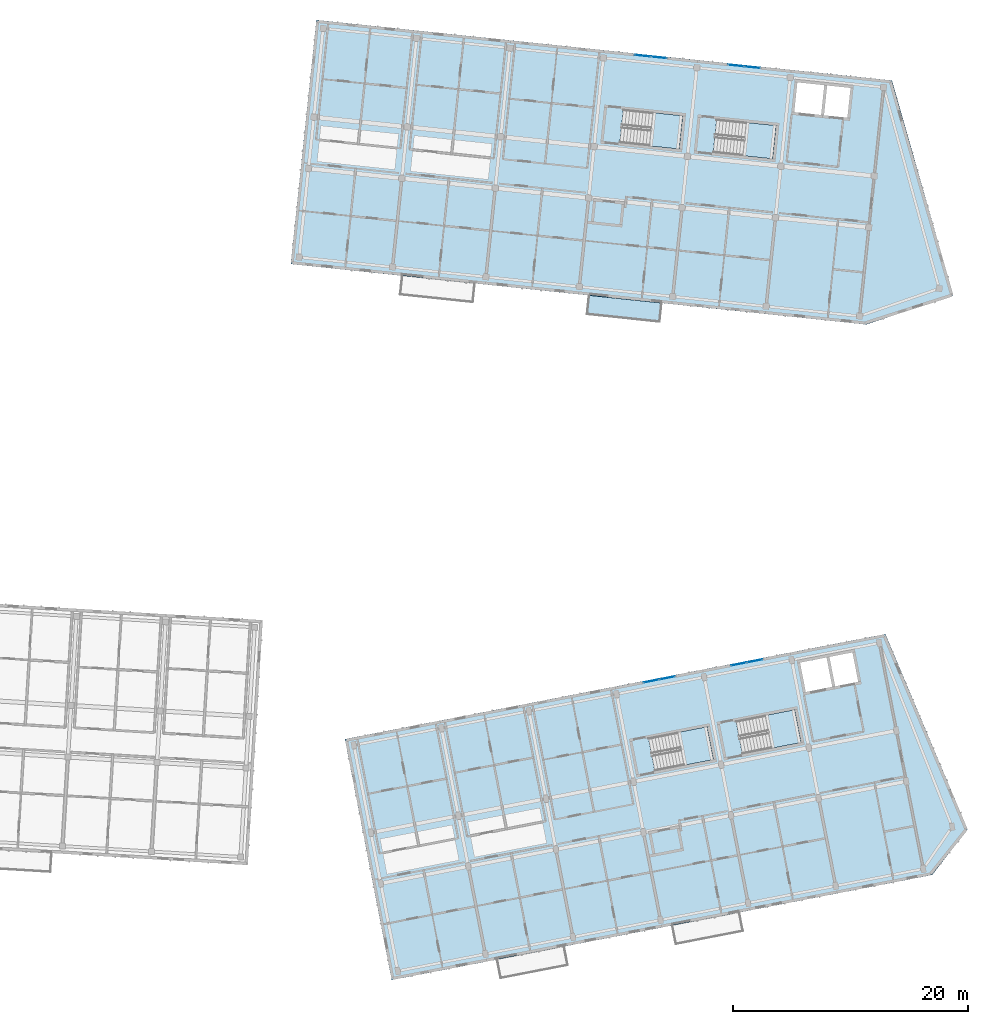
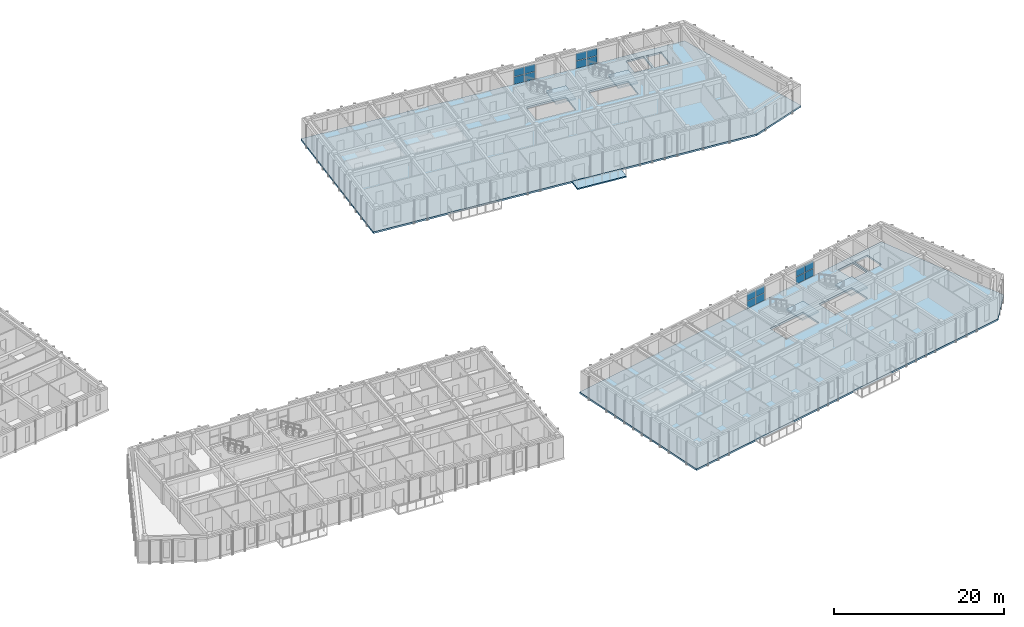
# One storey, part 19 of 68: 16 plates, 7 slabs, 8 elements without a shape of their own.
"""IFC4 building model written with IfcOpenShell, lengths in metres."""

from ifc_helpers import new_model, si_unit, direction, frame, origin, origin_2d, place, context, subcontext, project, spatial, polyline, rectangle, outline, extrude, material, layer, layer_set, type_object, element, aggregate, save


model = new_model("IFC4")

# Units and contexts
model_context = context("Model", 3, precision=1e-05, world=origin(), true_north=direction((0.0, 1.0)))
body_context = subcontext(model_context, "Body", "Model", "MODEL_VIEW")
ifc_project = project(units=[si_unit("LENGTHUNIT", "METRE"), si_unit("AREAUNIT", "SQUARE_METRE"), si_unit("VOLUMEUNIT", "CUBIC_METRE"), si_unit("PLANEANGLEUNIT", "RADIAN"), si_unit("MASSUNIT", "GRAM", prefix="KILO")], contexts=[model_context])

# Site, building, storey
site_placement = place(None, origin())
site = spatial("IfcSite", under=ifc_project, at=site_placement, CompositionType="ELEMENT")
building_placement = place(site_placement, origin())
building = spatial("IfcBuilding", under=site, at=building_placement, Name="Kestramere Prow Commons", CompositionType="ELEMENT")
storey_placement = place(building_placement, frame((0.0, 0.0, 18.14990234375)))
storey = spatial("IfcBuildingStorey", under=building, at=storey_placement, Name="L05", CompositionType="ELEMENT", Elevation=18.14990234375)

# Curtain wall, plates
ifc_material_1 = material(Name="Anodised Aluminium and Low-E Glass", Category="aluminium")
curtain_wall_type = type_object("IfcCurtainWallType", Name="CW-03 Glazed Curtain Wall 2830x2320", PredefinedType="USERDEFINED", material=ifc_material_1)
curtain_wall_1_placement = place(storey_placement, origin())
curtain_wall_1 = element("IfcCurtainWall", 1, at=curtain_wall_1_placement, inside=storey, type_object=curtain_wall_type, Name="Block B L05 Stairwell Vertical Glazing 4", ObjectType="GLAZED CURTAIN WALL", PredefinedType="USERDEFINED")
ifc_material_2 = material(Name="Low-E Laminated Double Glazing", Category="glass")
ifc_layer_1 = layer(ifc_material_2, 0.028076171875)
ifc_layer_set_1 = layer_set([ifc_layer_1], Name="Low-E Laminated Double Glazing")
plate_type = type_object("IfcPlateType", Name="CW-PNL-28", PredefinedType="CURTAIN_PANEL", material=ifc_layer_set_1)
plate_1_placement = place(storey_placement, frame((139.2626953125, 111.960205078125, 0.065185546875), z_axis=(0.0, 0.0, 1.0), x_axis=(0.994521879016, -0.104528618845, 0.0)))
plate_1 = element("IfcPlate", 2, at=plate_1_placement, type_object=plate_type, Name="CW-03 panel 1.1", PredefinedType="CURTAIN_PANEL", context=body_context, shape_type="SweptSolid", body=[
    extrude(rectangle(XDim=1.3173828125, YDim=0.028076171875, at=origin_2d()), origin(), (0.0, 0.0, 1.0), 1.0625),
])
plate_2_placement = place(storey_placement, frame((139.2626953125, 111.960205078125, 1.192626953125), z_axis=(0.0, 0.0, 1.0), x_axis=(0.994521879016, -0.104528618845, 0.0)))
plate_2 = element("IfcPlate", 3, at=plate_2_placement, type_object=plate_type, Name="CW-03 panel 1.2", PredefinedType="CURTAIN_PANEL", context=body_context, shape_type="SweptSolid", body=[
    extrude(rectangle(XDim=1.3173828125, YDim=0.028076171875, at=origin_2d()), origin(), (0.0, 0.0, 1.0), 1.0625),
])
plate_3_placement = place(storey_placement, frame((140.6376953125, 111.815673828125, 0.065185546875), z_axis=(0.0, 0.0, 1.0), x_axis=(0.994521879016, -0.104528618845, 0.0)))
plate_3 = element("IfcPlate", 4, at=plate_3_placement, type_object=plate_type, Name="CW-03 panel 2.1", PredefinedType="CURTAIN_PANEL", context=body_context, shape_type="SweptSolid", body=[
    extrude(rectangle(XDim=1.3173828125, YDim=0.028076171875, at=origin_2d()), origin(), (0.0, 0.0, 1.0), 1.0625),
])
plate_4_placement = place(storey_placement, frame((140.6376953125, 111.815673828125, 1.192626953125), z_axis=(0.0, 0.0, 1.0), x_axis=(0.994521879016, -0.104528618845, 0.0)))
plate_4 = element("IfcPlate", 5, at=plate_4_placement, type_object=plate_type, Name="CW-03 panel 2.2", PredefinedType="CURTAIN_PANEL", context=body_context, shape_type="SweptSolid", body=[
    extrude(rectangle(XDim=1.3173828125, YDim=0.028076171875, at=origin_2d()), origin(), (0.0, 0.0, 1.0), 1.0625),
])
aggregate(curtain_wall_1, [plate_1, plate_2, plate_3, plate_4])

curtain_wall_2_placement = place(storey_placement, origin())
curtain_wall_2 = element("IfcCurtainWall", 6, at=curtain_wall_2_placement, inside=storey, type_object=curtain_wall_type, Name="Block B L05 Stairwell Vertical Glazing 5", ObjectType="GLAZED CURTAIN WALL", PredefinedType="USERDEFINED")
plate_5_placement = place(storey_placement, frame((147.218994140625, 111.1240234375, 0.065185546875), z_axis=(0.0, 0.0, 1.0), x_axis=(0.99452191575, -0.104528269348, 0.0)))
plate_5 = element("IfcPlate", 7, at=plate_5_placement, type_object=plate_type, Name="CW-03 panel 1.1", PredefinedType="CURTAIN_PANEL", context=body_context, shape_type="SweptSolid", body=[
    extrude(rectangle(XDim=1.3173828125, YDim=0.028076171875, at=origin_2d()), origin(), (0.0, 0.0, 1.0), 1.0625),
])
plate_6_placement = place(storey_placement, frame((147.218994140625, 111.1240234375, 1.192626953125), z_axis=(0.0, 0.0, 1.0), x_axis=(0.99452191575, -0.104528269348, 0.0)))
plate_6 = element("IfcPlate", 8, at=plate_6_placement, type_object=plate_type, Name="CW-03 panel 1.2", PredefinedType="CURTAIN_PANEL", context=body_context, shape_type="SweptSolid", body=[
    extrude(rectangle(XDim=1.3173828125, YDim=0.028076171875, at=origin_2d()), origin(), (0.0, 0.0, 1.0), 1.0625),
])
plate_7_placement = place(storey_placement, frame((148.593994140625, 110.9794921875, 0.065185546875), z_axis=(0.0, 0.0, 1.0), x_axis=(0.99452191575, -0.104528269348, 0.0)))
plate_7 = element("IfcPlate", 9, at=plate_7_placement, type_object=plate_type, Name="CW-03 panel 2.1", PredefinedType="CURTAIN_PANEL", context=body_context, shape_type="SweptSolid", body=[
    extrude(rectangle(XDim=1.3173828125, YDim=0.028076171875, at=origin_2d()), origin(), (0.0, 0.0, 1.0), 1.0625),
])
plate_8_placement = place(storey_placement, frame((148.593994140625, 110.9794921875, 1.192626953125), z_axis=(0.0, 0.0, 1.0), x_axis=(0.99452191575, -0.104528269348, 0.0)))
plate_8 = element("IfcPlate", 10, at=plate_8_placement, type_object=plate_type, Name="CW-03 panel 2.2", PredefinedType="CURTAIN_PANEL", context=body_context, shape_type="SweptSolid", body=[
    extrude(rectangle(XDim=1.3173828125, YDim=0.028076171875, at=origin_2d()), origin(), (0.0, 0.0, 1.0), 1.0625),
])
aggregate(curtain_wall_2, [plate_5, plate_6, plate_7, plate_8])

curtain_wall_3_placement = place(storey_placement, origin())
curtain_wall_3 = element("IfcCurtainWall", 11, at=curtain_wall_3_placement, inside=storey, type_object=curtain_wall_type, Name="Block D L05 Stairwell Vertical Glazing 4", ObjectType="GLAZED CURTAIN WALL", PredefinedType="USERDEFINED")
plate_9_placement = place(storey_placement, frame((139.99267578125, 58.698974609375, 0.065185546875), z_axis=(0.0, 0.0, 1.0), x_axis=(0.981627214599, 0.190808835118, 0.0)))
plate_9 = element("IfcPlate", 12, at=plate_9_placement, type_object=plate_type, Name="CW-03 panel 1.1", PredefinedType="CURTAIN_PANEL", context=body_context, shape_type="SweptSolid", body=[
    extrude(rectangle(XDim=1.3173828125, YDim=0.028076171875, at=origin_2d()), origin(), (0.0, 0.0, 1.0), 1.0625),
])
plate_10_placement = place(storey_placement, frame((139.99267578125, 58.698974609375, 1.192626953125), z_axis=(0.0, 0.0, 1.0), x_axis=(0.981627214599, 0.190808835118, 0.0)))
plate_10 = element("IfcPlate", 13, at=plate_10_placement, type_object=plate_type, Name="CW-03 panel 1.2", PredefinedType="CURTAIN_PANEL", context=body_context, shape_type="SweptSolid", body=[
    extrude(rectangle(XDim=1.3173828125, YDim=0.028076171875, at=origin_2d()), origin(), (0.0, 0.0, 1.0), 1.0625),
])
plate_11_placement = place(storey_placement, frame((141.349853515625, 58.962646484375, 0.065185546875), z_axis=(0.0, 0.0, 1.0), x_axis=(0.981627214599, 0.190808835118, 0.0)))
plate_11 = element("IfcPlate", 14, at=plate_11_placement, type_object=plate_type, Name="CW-03 panel 2.1", PredefinedType="CURTAIN_PANEL", context=body_context, shape_type="SweptSolid", body=[
    extrude(rectangle(XDim=1.3173828125, YDim=0.028076171875, at=origin_2d()), origin(), (0.0, 0.0, 1.0), 1.0625),
])
plate_12_placement = place(storey_placement, frame((141.349853515625, 58.962646484375, 1.192626953125), z_axis=(0.0, 0.0, 1.0), x_axis=(0.981627214599, 0.190808835118, 0.0)))
plate_12 = element("IfcPlate", 15, at=plate_12_placement, type_object=plate_type, Name="CW-03 panel 2.2", PredefinedType="CURTAIN_PANEL", context=body_context, shape_type="SweptSolid", body=[
    extrude(rectangle(XDim=1.3173828125, YDim=0.028076171875, at=origin_2d()), origin(), (0.0, 0.0, 1.0), 1.0625),
])
aggregate(curtain_wall_3, [plate_9, plate_10, plate_11, plate_12])

curtain_wall_4_placement = place(storey_placement, origin())
curtain_wall_4 = element("IfcCurtainWall", 16, at=curtain_wall_4_placement, inside=storey, type_object=curtain_wall_type, Name="Block D L05 Stairwell Vertical Glazing 5", ObjectType="GLAZED CURTAIN WALL", PredefinedType="USERDEFINED")
plate_13_placement = place(storey_placement, frame((147.453125, 60.14892578125, 0.065185546875), z_axis=(0.0, 0.0, 1.0), x_axis=(0.981627214599, 0.190808835118, 0.0)))
plate_13 = element("IfcPlate", 17, at=plate_13_placement, type_object=plate_type, Name="CW-03 panel 1.1", PredefinedType="CURTAIN_PANEL", context=body_context, shape_type="SweptSolid", body=[
    extrude(rectangle(XDim=1.3173828125, YDim=0.028076171875, at=origin_2d()), origin(), (0.0, 0.0, 1.0), 1.0625),
])
plate_14_placement = place(storey_placement, frame((147.453125, 60.14892578125, 1.192626953125), z_axis=(0.0, 0.0, 1.0), x_axis=(0.981627214599, 0.190808835118, 0.0)))
plate_14 = element("IfcPlate", 18, at=plate_14_placement, type_object=plate_type, Name="CW-03 panel 1.2", PredefinedType="CURTAIN_PANEL", context=body_context, shape_type="SweptSolid", body=[
    extrude(rectangle(XDim=1.3173828125, YDim=0.028076171875, at=origin_2d()), origin(), (0.0, 0.0, 1.0), 1.0625),
])
plate_15_placement = place(storey_placement, frame((148.81005859375, 60.412841796875, 0.065185546875), z_axis=(0.0, 0.0, 1.0), x_axis=(0.981627214599, 0.190808835118, 0.0)))
plate_15 = element("IfcPlate", 19, at=plate_15_placement, type_object=plate_type, Name="CW-03 panel 2.1", PredefinedType="CURTAIN_PANEL", context=body_context, shape_type="SweptSolid", body=[
    extrude(rectangle(XDim=1.3173828125, YDim=0.028076171875, at=origin_2d()), origin(), (0.0, 0.0, 1.0), 1.0625),
])
plate_16_placement = place(storey_placement, frame((148.81005859375, 60.412841796875, 1.192626953125), z_axis=(0.0, 0.0, 1.0), x_axis=(0.981627214599, 0.190808835118, 0.0)))
plate_16 = element("IfcPlate", 20, at=plate_16_placement, type_object=plate_type, Name="CW-03 panel 2.2", PredefinedType="CURTAIN_PANEL", context=body_context, shape_type="SweptSolid", body=[
    extrude(rectangle(XDim=1.3173828125, YDim=0.028076171875, at=origin_2d()), origin(), (0.0, 0.0, 1.0), 1.0625),
])
aggregate(curtain_wall_4, [plate_13, plate_14, plate_15, plate_16])

# Slabs
ifc_material_3 = material(Name="Precast concrete C40/50", Category="concrete")
ifc_layer_2 = layer(ifc_material_3, 0.179931640625)
ifc_layer_set_2 = layer_set([ifc_layer_2], Name="Precast concrete C40/50")
slab_type_1 = type_object("IfcSlabType", Name="SL-BALC-180", PredefinedType="FLOOR", material=ifc_layer_set_2)
slab_1_placement = place(storey_placement, frame((0.0, 0.0, -0.179931640625)))
element("IfcSlab", 21, at=slab_1_placement, inside=storey, type_object=slab_type_1, Name="Block B L05 Apartment Balcony Slab 4", PredefinedType="FLOOR", context=body_context, shape_type="SweptSolid", body=[
    extrude(outline(polyline([(134.473388671875, 89.9150390625), (140.739013671875, 89.256591796875), (140.911376953125, 90.8974609375), (134.64599609375, 91.555908203125), (134.473388671875, 89.9150390625)])), origin(), (0.0, 0.0, 1.0), 0.179931640625),
])
ifc_layer_3 = layer(ifc_material_3, 0.25)
ifc_layer_set_3 = layer_set([ifc_layer_3], Name="Precast concrete C40/50")
slab_type_2 = type_object("IfcSlabType", Name="SL-HC-250", PredefinedType="FLOOR", material=ifc_layer_set_3)
slab_2_placement = place(storey_placement, frame((0.0, 0.0, -0.25)))
element("IfcSlab", 22, at=slab_2_placement, inside=storey, type_object=slab_type_2, Name="Block B L05 Hollowcore Floor Slab", PredefinedType="FLOOR", context=body_context, shape_type="SweptSolid", body=[
    extrude(outline(polyline([(109.28564453125, 94.221435546875), (158.3154296875, 89.068359375), (165.71630859375, 91.558349609375), (160.500244140625, 109.853759765625), (111.47021484375, 115.007080078125), (109.28564453125, 94.221435546875)]), holes=[polyline([(152.1728515625, 107.159423828125), (154.46044921875, 106.9189453125), (154.726806640625, 109.455078125), (152.439453125, 109.695556640625), (152.1728515625, 107.159423828125)]), polyline([(154.708984375, 106.892822265625), (156.697998046875, 106.683837890625), (156.964599609375, 109.219970703125), (154.9755859375, 109.428955078125), (154.708984375, 106.892822265625)]), polyline([(137.318603515625, 104.5478515625), (142.390625, 104.0146484375), (142.6884765625, 106.84912109375), (137.616455078125, 107.38232421875), (137.318603515625, 104.5478515625)]), polyline([(145.274658203125, 103.711669921875), (150.346923828125, 103.178466796875), (150.644775390625, 106.012939453125), (145.57275390625, 106.5458984375), (145.274658203125, 103.711669921875)])]), origin(), (0.0, 0.0, 1.0), 0.25),
])
slab_3_placement = place(storey_placement, frame((0.0, 0.0, -0.25)))
element("IfcSlab", 23, at=slab_3_placement, inside=storey, type_object=slab_type_2, Name="Block D L05 Hollowcore Floor Slab", PredefinedType="FLOOR", context=body_context, shape_type="SweptSolid", body=[
    extrude(outline(polyline([(117.885986328125, 33.238037109375), (163.92431640625, 42.186767578125), (166.936279296875, 46.083251953125), (159.936279296875, 62.702880859375), (113.89794921875, 53.75390625), (117.885986328125, 33.238037109375)]), holes=[polyline([(153.1533203125, 57.767822265625), (155.4111328125, 58.206787109375), (154.924560546875, 60.7099609375), (152.666748046875, 60.27099609375), (153.1533203125, 57.767822265625)]), polyline([(155.656494140625, 58.25439453125), (157.619873046875, 58.63623046875), (157.13330078125, 61.13916015625), (155.169921875, 60.757568359375), (155.656494140625, 58.25439453125)]), polyline([(140.300537109375, 51.0419921875), (145.306884765625, 52.01513671875), (144.76318359375, 54.812744140625), (139.7568359375, 53.839599609375), (140.300537109375, 51.0419921875)]), polyline([(147.760986328125, 52.4921875), (152.767333984375, 53.46533203125), (152.223388671875, 56.262939453125), (147.21728515625, 55.289794921875), (147.760986328125, 52.4921875)])]), origin(), (0.0, 0.0, 1.0), 0.25),
])

# Stair, slab
ifc_material_4 = material(Name="Concrete C40/50", Category="concrete")
stair_type = type_object("IfcStairType", Name="ST-DOG-1350", PredefinedType="HALF_TURN_STAIR", material=ifc_material_4)
stair_1_placement = place(storey_placement, origin())
stair_1 = element("IfcStair", 24, at=stair_1_placement, inside=storey, type_object=stair_type, Name="L05 Block B Exit Stair 1", PredefinedType="HALF_TURN_STAIR")
ifc_layer_4 = layer(ifc_material_4, 0.199951171875)
ifc_layer_set_4 = layer_set([ifc_layer_4], Name="Concrete C40/50")
slab_type_3 = type_object("IfcSlabType", Name="SL-ST-LAND-200", PredefinedType="LANDING", material=ifc_layer_set_4)
slab_4_placement = place(storey_placement, frame((0.0, 0.0, 1.425048828125)))
slab_4 = element("IfcSlab", 25, at=slab_4_placement, type_object=slab_type_3, Name="ST-B1 landing 1", PredefinedType="LANDING", context=body_context, shape_type="SweptSolid", body=[
    extrude(outline(polyline([(139.82470703125, 104.284423828125), (142.390625, 104.0146484375), (142.6884765625, 106.84912109375), (140.122802734375, 107.118896484375), (139.82470703125, 104.284423828125)])), origin(), (0.0, 0.0, 1.0), 0.199951171875),
])
aggregate(stair_1, [slab_4])

stair_2_placement = place(storey_placement, origin())
stair_2 = element("IfcStair", 26, at=stair_2_placement, inside=storey, type_object=stair_type, Name="L05 Block B Exit Stair 2", PredefinedType="HALF_TURN_STAIR")
slab_5_placement = place(storey_placement, frame((0.0, 0.0, 1.425048828125)))
slab_5 = element("IfcSlab", 27, at=slab_5_placement, type_object=slab_type_3, Name="ST-B2 landing 1", PredefinedType="LANDING", context=body_context, shape_type="SweptSolid", body=[
    extrude(outline(polyline([(147.781005859375, 103.4482421875), (150.346923828125, 103.178466796875), (150.644775390625, 106.012939453125), (148.078857421875, 106.282470703125), (147.781005859375, 103.4482421875)])), origin(), (0.0, 0.0, 1.0), 0.199951171875),
])
aggregate(stair_2, [slab_5])

stair_3_placement = place(storey_placement, origin())
stair_3 = element("IfcStair", 28, at=stair_3_placement, inside=storey, type_object=stair_type, Name="L05 Block D Exit Stair 1", PredefinedType="HALF_TURN_STAIR")
slab_6_placement = place(storey_placement, frame((0.0, 0.0, 1.425048828125)))
slab_6 = element("IfcSlab", 29, at=slab_6_placement, type_object=slab_type_3, Name="ST-D1 landing 1", PredefinedType="LANDING", context=body_context, shape_type="SweptSolid", body=[
    extrude(outline(polyline([(142.7744140625, 51.522705078125), (145.306884765625, 52.01513671875), (144.76318359375, 54.812744140625), (142.23046875, 54.3203125), (142.7744140625, 51.522705078125)])), origin(), (0.0, 0.0, 1.0), 0.199951171875),
])
aggregate(stair_3, [slab_6])

stair_4_placement = place(storey_placement, origin())
stair_4 = element("IfcStair", 30, at=stair_4_placement, inside=storey, type_object=stair_type, Name="L05 Block D Exit Stair 2", PredefinedType="HALF_TURN_STAIR")
slab_7_placement = place(storey_placement, frame((0.0, 0.0, 1.425048828125)))
slab_7 = element("IfcSlab", 31, at=slab_7_placement, type_object=slab_type_3, Name="ST-D2 landing 1", PredefinedType="LANDING", context=body_context, shape_type="SweptSolid", body=[
    extrude(outline(polyline([(150.234619140625, 52.972900390625), (152.767333984375, 53.46533203125), (152.223388671875, 56.262939453125), (149.69091796875, 55.7705078125), (150.234619140625, 52.972900390625)])), origin(), (0.0, 0.0, 1.0), 0.199951171875),
])
aggregate(stair_4, [slab_7])

save(model, "model.ifc")
